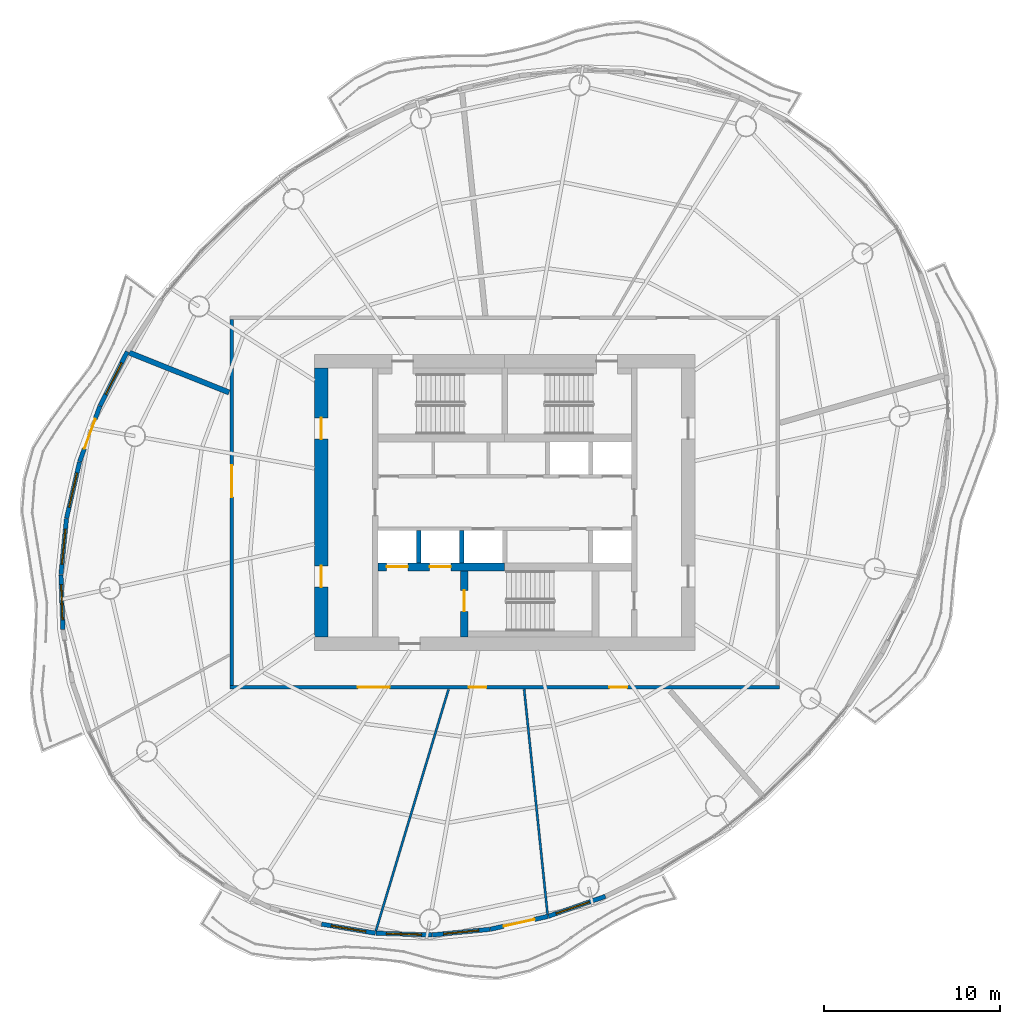
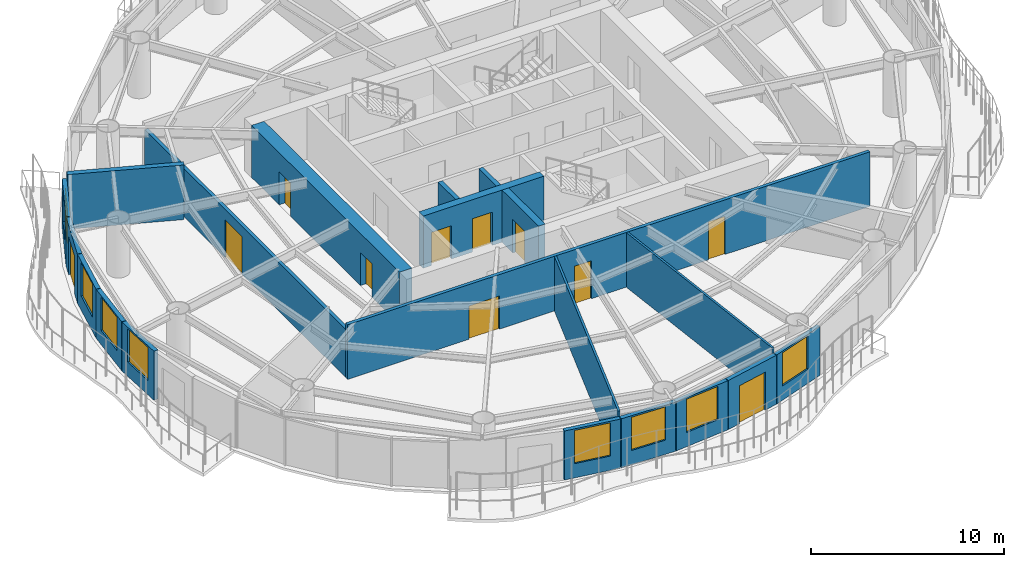
# One storey, part 8 of 14: 20 walls, 11 doors, 8 windows, 19 openings.
"""IFC4 building model written with IfcOpenShell, lengths in metres."""

from ifc_helpers import new_model, si_unit, direction, frame, frame_2d, origin, place, context, subcontext, project, spatial, rectangle, extrude, material, layer, layer_set, type_object, element, fill, save


model = new_model("IFC4")

# Units and contexts
model_context = context("Model", 3, precision=1e-05, world=origin(), true_north=direction((0.0, 1.0)))
body_context = subcontext(model_context, "Body", "Model", "MODEL_VIEW")
ifc_project = project(units=[si_unit("LENGTHUNIT", "METRE"), si_unit("AREAUNIT", "SQUARE_METRE"), si_unit("VOLUMEUNIT", "CUBIC_METRE"), si_unit("PLANEANGLEUNIT", "RADIAN"), si_unit("MASSUNIT", "GRAM", prefix="KILO")], contexts=[model_context])

# Site, building, storey
site_placement = place(None, origin())
site = spatial("IfcSite", under=ifc_project, at=site_placement, CompositionType="ELEMENT")
building_placement = place(site_placement, origin())
building = spatial("IfcBuilding", under=site, at=building_placement, Name="Vermilion Reach Broadcast Tower", CompositionType="ELEMENT")
storey_placement = place(building_placement, frame((0.0, 0.0, 199.300048828125)))
storey = spatial("IfcBuildingStorey", under=building, at=storey_placement, Name="L48", CompositionType="ELEMENT", Elevation=199.300048828125)

# Wall, opening, door
ifc_material_1 = material(Name="Concrete C60", Category="concrete")
ifc_layer_1 = layer(ifc_material_1, 0.39990234375)
ifc_layer_set_1 = layer_set([ifc_layer_1], Name="Core inner wall 400 mm Concrete C60")
wall_type_1 = type_object("IfcWallType", Name="Core inner wall 400 mm Concrete C60", PredefinedType="SHEAR", material=ifc_layer_set_1)
wall_1_placement = place(storey_placement, frame((-8.300048828125, -3.8798828125, 0.0), z_axis=(0.0, 0.0, 1.0), x_axis=(0.0, -1.0, 0.0)))
wall_1 = element("IfcWall", 1, at=wall_1_placement, inside=storey, type_object=wall_type_1, Name="L48 core wall wa", PredefinedType="SHEAR", context=body_context, shape_type="SweptSolid", body=[
    extrude(rectangle(XDim=3.77001953125, YDim=0.39990234375, at=frame_2d((1.885009765625, 0.0))), origin(), (0.0, 0.0, 1.0), 3.300048828125),
])
opening_1_placement = place(wall_1_placement, frame((1.110107421875, 0.0, 0.0)))
opening_1 = element("IfcOpeningElement", 2, at=opening_1_placement, cuts=wall_1, Name="Opening D01", PredefinedType="OPENING", context=body_context, shape_type="SweptSolid", body=[
    extrude(rectangle(XDim=1.199951171875, YDim=2.10009765625, at=frame_2d((0.60009765625, 1.050048828125))), frame((0.0, 0.2099609375, 0.0), z_axis=(0.0, -1.0, 0.0), x_axis=(1.0, 0.0, 0.0)), (0.0, 0.0, 1.0), 0.419921875),
])
ifc_material_2 = material(Name="Painted steel fire door", Category="steel")
door_type_1 = type_object("IfcDoorType", Name="Stair door 1200 x 2100", OperationType="DOUBLE_DOOR_SINGLE_SWING", PredefinedType="NOTDEFINED", material=ifc_material_2)
door_1_placement = place(opening_1_placement, origin())
door_1 = element("IfcDoor", 3, at=door_1_placement, inside=storey, type_object=door_type_1, Name="L48 stair door ST3", OperationType="DOUBLE_DOOR_SINGLE_SWING", OverallHeight=2.10009765625, OverallWidth=1.199951171875, PredefinedType="NOTDEFINED", context=body_context, shape_type="SweptSolid", body=[
    extrude(rectangle(XDim=1.199951171875, YDim=2.10009765625, at=frame_2d((0.60009765625, 1.050048828125))), frame((0.0, 0.02490234375, 0.0), z_axis=(0.0, -1.0, 0.0), x_axis=(1.0, 0.0, 0.0)), (0.0, 0.0, 1.0), 0.050048828125),
])
fill(opening_1, door_1)

# Wall, openings, doors
ifc_material_3 = material(Name="Concrete C60", Category="concrete")
ifc_layer_2 = layer(ifc_material_3, 0.449951171875)
ifc_layer_set_2 = layer_set([ifc_layer_2], Name="Core inner wall 450 mm Concrete C60")
wall_type_2 = type_object("IfcWallType", Name="Core inner wall 450 mm Concrete C60", PredefinedType="SHEAR", material=ifc_layer_set_2)
wall_2_placement = place(storey_placement, frame((-13.199951171875, -3.655029296875, 0.0), z_axis=(0.0, 0.0, 1.0), x_axis=(1.0, 0.0, 0.0)))
wall_2 = element("IfcWall", 4, at=wall_2_placement, inside=storey, type_object=wall_type_2, Name="L48 core wall wisW", PredefinedType="SHEAR", context=body_context, shape_type="SweptSolid", body=[
    extrude(rectangle(XDim=7.199951171875, YDim=0.449951171875, at=frame_2d((3.60009765625, 0.0))), origin(), (0.0, 0.0, 1.0), 3.300048828125),
])
opening_2_placement = place(wall_2_placement, frame((0.495849609375, 0.0, 0.0)))
opening_2 = element("IfcOpeningElement", 5, at=opening_2_placement, cuts=wall_2, Name="Opening LD1", PredefinedType="OPENING", context=body_context, shape_type="SweptSolid", body=[
    extrude(rectangle(XDim=1.199951171875, YDim=2.10009765625, at=frame_2d((0.60009765625, 1.050048828125))), frame((0.0, 0.23486328125, 0.0), z_axis=(0.0, -1.0, 0.0), x_axis=(1.0, 0.0, 0.0)), (0.0, 0.0, 1.0), 0.469970703125),
])
opening_3_placement = place(wall_2_placement, frame((2.9375, 0.0, 0.0)))
opening_3 = element("IfcOpeningElement", 6, at=opening_3_placement, cuts=wall_2, Name="Opening LD1", PredefinedType="OPENING", context=body_context, shape_type="SweptSolid", body=[
    extrude(rectangle(XDim=1.199951171875, YDim=2.10009765625, at=frame_2d((0.60009765625, 1.050048828125))), frame((0.0, 0.23486328125, 0.0), z_axis=(0.0, -1.0, 0.0), x_axis=(1.0, 0.0, 0.0)), (0.0, 0.0, 1.0), 0.469970703125),
])
ifc_material_4 = material(Name="Stainless steel", Category="steel")
door_type_2 = type_object("IfcDoorType", Name="Landing door 1200 x 2100", OperationType="DOUBLE_DOOR_SLIDING", PredefinedType="NOTDEFINED", material=ifc_material_4)
door_2_placement = place(opening_2_placement, origin())
door_2 = element("IfcDoor", 7, at=door_2_placement, inside=storey, type_object=door_type_2, Name="L48 landing door FF1", OperationType="DOUBLE_DOOR_SLIDING", OverallHeight=2.10009765625, OverallWidth=1.199951171875, PredefinedType="NOTDEFINED", context=body_context, shape_type="SweptSolid", body=[
    extrude(rectangle(XDim=1.199951171875, YDim=2.10009765625, at=frame_2d((0.60009765625, 1.050048828125))), frame((0.0, 0.02490234375, 0.0), z_axis=(0.0, -1.0, 0.0), x_axis=(1.0, 0.0, 0.0)), (0.0, 0.0, 1.0), 0.050048828125),
])
fill(opening_2, door_2)
door_3_placement = place(opening_3_placement, origin())
door_3 = element("IfcDoor", 8, at=door_3_placement, inside=storey, type_object=door_type_2, Name="L48 landing door FF2", OperationType="DOUBLE_DOOR_SLIDING", OverallHeight=2.10009765625, OverallWidth=1.199951171875, PredefinedType="NOTDEFINED", context=body_context, shape_type="SweptSolid", body=[
    extrude(rectangle(XDim=1.199951171875, YDim=2.10009765625, at=frame_2d((0.60009765625, 1.050048828125))), frame((0.0, 0.02490234375, 0.0), z_axis=(0.0, -1.0, 0.0), x_axis=(1.0, 0.0, 0.0)), (0.0, 0.0, 1.0), 0.050048828125),
])
fill(opening_3, door_3)

ifc_material_5 = material(Name="Concrete C60", Category="concrete")
ifc_layer_3 = layer(ifc_material_5, 0.75)
ifc_layer_set_3 = layer_set([ifc_layer_3], Name="Core outer wall 750 mm Concrete C60")
wall_type_3 = type_object("IfcWallType", Name="Core outer wall 750 mm Concrete C60", PredefinedType="SHEAR", material=ifc_layer_set_3)
wall_3_placement = place(storey_placement, frame((-16.425048828125, 7.64990234375, 0.0), z_axis=(0.0, 0.0, 1.0), x_axis=(0.0, -1.0, 0.0)))
wall_3 = element("IfcWall", 9, at=wall_3_placement, inside=storey, type_object=wall_type_3, Name="L48 core wall ow", PredefinedType="SHEAR", context=body_context, shape_type="SweptSolid", body=[
    extrude(rectangle(XDim=15.2998046875, YDim=0.75, at=frame_2d((7.64990234375, 0.0))), origin(), (0.0, 0.0, 1.0), 3.300048828125),
])
opening_4_placement = place(wall_3_placement, frame((11.25, 0.0, 0.0)))
opening_4 = element("IfcOpeningElement", 10, at=opening_4_placement, cuts=wall_3, Name="Opening D03", PredefinedType="OPENING", context=body_context, shape_type="SweptSolid", body=[
    extrude(rectangle(XDim=1.199951171875, YDim=2.10009765625, at=frame_2d((0.60009765625, 1.050048828125))), frame((0.0, 0.385009765625, 0.0), z_axis=(0.0, -1.0, 0.0), x_axis=(1.0, 0.0, 0.0)), (0.0, 0.0, 1.0), 0.77001953125),
])
opening_5_placement = place(wall_3_placement, frame((2.85009765625, 0.0, 0.0)))
opening_5 = element("IfcOpeningElement", 11, at=opening_5_placement, cuts=wall_3, Name="Opening D03", PredefinedType="OPENING", context=body_context, shape_type="SweptSolid", body=[
    extrude(rectangle(XDim=1.199951171875, YDim=2.10009765625, at=frame_2d((0.60009765625, 1.050048828125))), frame((0.0, 0.385009765625, 0.0), z_axis=(0.0, -1.0, 0.0), x_axis=(1.0, 0.0, 0.0)), (0.0, 0.0, 1.0), 0.77001953125),
])
ifc_material_6 = material(Name="Painted steel fire door", Category="steel")
door_type_3 = type_object("IfcDoorType", Name="Core lobby door 1200 x 2100", OperationType="DOUBLE_DOOR_SINGLE_SWING", PredefinedType="NOTDEFINED", material=ifc_material_6)
door_4_placement = place(opening_4_placement, origin())
door_4 = element("IfcDoor", 12, at=door_4_placement, inside=storey, type_object=door_type_3, Name="L48 slot door W0", OperationType="DOUBLE_DOOR_SINGLE_SWING", OverallHeight=2.10009765625, OverallWidth=1.199951171875, PredefinedType="NOTDEFINED", context=body_context, shape_type="SweptSolid", body=[
    extrude(rectangle(XDim=1.199951171875, YDim=2.10009765625, at=frame_2d((0.60009765625, 1.050048828125))), frame((0.0, 0.02490234375, 0.0), z_axis=(0.0, -1.0, 0.0), x_axis=(1.0, 0.0, 0.0)), (0.0, 0.0, 1.0), 0.050048828125),
])
fill(opening_4, door_4)
door_5_placement = place(opening_5_placement, origin())
door_5 = element("IfcDoor", 13, at=door_5_placement, inside=storey, type_object=door_type_3, Name="L48 slot door W1", OperationType="DOUBLE_DOOR_SINGLE_SWING", OverallHeight=2.10009765625, OverallWidth=1.199951171875, PredefinedType="NOTDEFINED", context=body_context, shape_type="SweptSolid", body=[
    extrude(rectangle(XDim=1.199951171875, YDim=2.10009765625, at=frame_2d((0.60009765625, 1.050048828125))), frame((0.0, 0.02490234375, 0.0), z_axis=(0.0, -1.0, 0.0), x_axis=(1.0, 0.0, 0.0)), (0.0, 0.0, 1.0), 0.050048828125),
])
fill(opening_5, door_5)

# Walls
ifc_material_7 = material(Name="Concrete C50", Category="concrete")
ifc_layer_4 = layer(ifc_material_7, 0.25)
ifc_layer_set_4 = layer_set([ifc_layer_4], Name="Core shaft wall 250 mm Concrete C50")
wall_type_4 = type_object("IfcWallType", Name="Core shaft wall 250 mm Concrete C50", PredefinedType="SHEAR", material=ifc_layer_set_4)
for number, where, z_axis, x_axis, name in (
    (14, (-10.88330078125, -1.60009765625, 0.0), (0.0, 0.0, 1.0), (0.0, -1.0, 0.0), "L48 core wall psS0"),
    (15, (-8.441650390625, -1.60009765625, 0.0), (0.0, 0.0, 1.0), (0.0, -1.0, 0.0), "L48 core wall psS1"),
):
    element("IfcWall", number, at=place(storey_placement, frame(where, z_axis=z_axis, x_axis=x_axis)), inside=storey, type_object=wall_type_4, Name=name, PredefinedType="SHEAR", context=body_context, shape_type="SweptSolid", body=[
        extrude(rectangle(XDim=1.829833984375, YDim=0.25, at=frame_2d((0.9150390625, 0.0))), origin(), (0.0, 0.0, 1.0), 3.300048828125),
    ])

# Wall, openings, doors
ifc_material_8 = material(Name="Fire-rated gypsum board partition")
ifc_layer_5 = layer(ifc_material_8, 0.199951171875)
ifc_layer_set_5 = layer_set([ifc_layer_5], Name="Corridor wall 200 fire-rated")
wall_type_5 = type_object("IfcWallType", Name="Corridor wall 200 fire-rated", PredefinedType="PARTITIONING", material=ifc_layer_set_5)
wall_4_placement = place(storey_placement, frame((9.60009765625, -10.5, 0.0), z_axis=(0.0, 0.0, 1.0), x_axis=(-1.0, 0.0, 0.0)))
wall_4 = element("IfcWall", 16, at=wall_4_placement, inside=storey, type_object=wall_type_5, Name="Corridor wall 48.S", PredefinedType="PARTITIONING", context=body_context, shape_type="SweptSolid", body=[
    extrude(rectangle(XDim=31.2001953125, YDim=0.199951171875, at=frame_2d((15.60009765625, 0.0))), origin(), (0.0, 0.0, 1.0), 3.449951171875),
])
opening_6_placement = place(wall_4_placement, frame((22.136962890625, 0.0, 0.0)))
opening_6 = element("IfcOpeningElement", 17, at=opening_6_placement, cuts=wall_4, Name="Opening D21", PredefinedType="OPENING", context=body_context, shape_type="SweptSolid", body=[
    extrude(rectangle(XDim=1.800048828125, YDim=2.10009765625, at=frame_2d((0.89990234375, 1.050048828125))), frame((0.0, 0.10986328125, 0.0), z_axis=(0.0, -1.0, 0.0), x_axis=(1.0, 0.0, 0.0)), (0.0, 0.0, 1.0), 0.219970703125),
])
opening_7_placement = place(wall_4_placement, frame((16.63623046875, 0.0, 0.0)))
opening_7 = element("IfcOpeningElement", 18, at=opening_7_placement, cuts=wall_4, Name="Opening D23", PredefinedType="OPENING", context=body_context, shape_type="SweptSolid", body=[
    extrude(rectangle(XDim=1.0, YDim=2.39990234375, at=frame_2d((0.5, 1.199951171875))), frame((0.0, 0.10986328125, 0.0), z_axis=(0.0, -1.0, 0.0), x_axis=(1.0, 0.0, 0.0)), (0.0, 0.0, 1.0), 0.219970703125),
])
opening_8_placement = place(wall_4_placement, frame((8.6552734375, 0.0, 0.0)))
opening_8 = element("IfcOpeningElement", 19, at=opening_8_placement, cuts=wall_4, Name="Opening D23", PredefinedType="OPENING", context=body_context, shape_type="SweptSolid", body=[
    extrude(rectangle(XDim=1.0, YDim=2.39990234375, at=frame_2d((0.5, 1.199951171875))), frame((0.0, 0.10986328125, 0.0), z_axis=(0.0, -1.0, 0.0), x_axis=(1.0, 0.0, 0.0)), (0.0, 0.0, 1.0), 0.219970703125),
])
ifc_material_9 = material(Name="Timber door leaf", Category="wood")
door_type_4 = type_object("IfcDoorType", Name="Door pair 1800x2100", OperationType="NOTDEFINED", PredefinedType="DOOR", material=ifc_material_9)
door_6_placement = place(opening_6_placement, origin())
door_6 = element("IfcDoor", 20, at=door_6_placement, inside=storey, type_object=door_type_4, Name="Door 48.04", OperationType="DOUBLE_DOOR_SINGLE_SWING", OverallHeight=2.10009765625, OverallWidth=1.800048828125, PredefinedType="DOOR", context=body_context, shape_type="SweptSolid", body=[
    extrude(rectangle(XDim=1.800048828125, YDim=2.10009765625, at=frame_2d((0.89990234375, 1.050048828125))), frame((0.0, 0.02490234375, 0.0), z_axis=(0.0, -1.0, 0.0), x_axis=(1.0, 0.0, 0.0)), (0.0, 0.0, 1.0), 0.050048828125),
])
fill(opening_6, door_6)
ifc_material_10 = material(Name="Veneered timber door leaf", Category="wood")
door_type_5 = type_object("IfcDoorType", Name="Door single 1000x2400", OperationType="NOTDEFINED", PredefinedType="DOOR", material=ifc_material_10)
door_7_placement = place(opening_7_placement, origin())
door_7 = element("IfcDoor", 21, at=door_7_placement, inside=storey, type_object=door_type_5, Name="Door 48.05", OperationType="SINGLE_SWING_RIGHT", OverallHeight=2.39990234375, OverallWidth=1.0, PredefinedType="DOOR", context=body_context, shape_type="SweptSolid", body=[
    extrude(rectangle(XDim=1.0, YDim=2.39990234375, at=frame_2d((0.5, 1.199951171875))), frame((0.0, 0.02490234375, 0.0), z_axis=(0.0, -1.0, 0.0), x_axis=(1.0, 0.0, 0.0)), (0.0, 0.0, 1.0), 0.050048828125),
])
fill(opening_7, door_7)
door_8_placement = place(opening_8_placement, origin())
door_8 = element("IfcDoor", 22, at=door_8_placement, inside=storey, type_object=door_type_5, Name="Door 48.06", OperationType="SINGLE_SWING_LEFT", OverallHeight=2.39990234375, OverallWidth=1.0, PredefinedType="DOOR", context=body_context, shape_type="SweptSolid", body=[
    extrude(rectangle(XDim=1.0, YDim=2.39990234375, at=frame_2d((0.5, 1.199951171875))), frame((0.0, 0.02490234375, 0.0), z_axis=(0.0, -1.0, 0.0), x_axis=(1.0, 0.0, 0.0)), (0.0, 0.0, 1.0), 0.050048828125),
])
fill(opening_8, door_8)

# Walls
ifc_material_11 = material(Name="Fire-rated plasterboard on steel stud", Category="steel")
ifc_layer_6 = layer(ifc_material_11, 0.125)
ifc_layer_set_6 = layer_set([ifc_layer_6], Name="Partition 125 fire-rated stud")
wall_type_6 = type_object("IfcWallType", Name="Partition 125 fire-rated stud", PredefinedType="PARTITIONING", material=ifc_layer_set_6)
wall_5_placement = place(storey_placement, frame((-13.3212890625, -24.339111328125, 0.0), z_axis=(0.0, 0.0, 1.0), x_axis=(0.288057495031, 0.957613115802, 0.0)))
element("IfcWall", 23, at=wall_5_placement, inside=storey, type_object=wall_type_6, Name="Partition 48.05", PredefinedType="PARTITIONING", context=body_context, shape_type="SweptSolid", body=[
    extrude(rectangle(XDim=14.32861328125, YDim=0.125, at=frame_2d((7.164306640625, 0.0))), origin(), (0.0, 0.0, 1.0), 3.449951171875),
])
wall_6_placement = place(storey_placement, frame((-3.568603515625, -23.3857421875, 0.0), z_axis=(0.0, 0.0, 1.0), x_axis=(-0.103408703267, 0.994638949614, 0.0)))
element("IfcWall", 24, at=wall_6_placement, inside=storey, type_object=wall_type_6, Name="Partition 48.06", PredefinedType="PARTITIONING", context=body_context, shape_type="SweptSolid", body=[
    extrude(rectangle(XDim=12.84814453125, YDim=0.125, at=frame_2d((6.424072265625, 0.0))), origin(), (0.0, 0.0, 1.0), 3.449951171875),
])
ifc_material_12 = material(Name="Double-leaf plasterboard on isolated steel stud", Category="steel")
ifc_layer_7 = layer(ifc_material_12, 0.300048828125)
ifc_layer_set_7 = layer_set([ifc_layer_7], Name="Partition 300 acoustic double leaf")
wall_type_7 = type_object("IfcWallType", Name="Partition 300 acoustic double leaf", PredefinedType="PARTITIONING", material=ifc_layer_set_7)
wall_7_placement = place(storey_placement, frame((-27.32763671875, 8.51123046875, 0.0), z_axis=(0.0, 0.0, 1.0), x_axis=(0.928768643744, -0.370659960608, 0.0)))
element("IfcWall", 25, at=wall_7_placement, inside=storey, type_object=wall_type_7, Name="Partition 48.03", PredefinedType="PARTITIONING", context=body_context, shape_type="SweptSolid", body=[
    extrude(rectangle(XDim=6.107177734375, YDim=0.300048828125, at=frame_2d((3.0537109375, 0.0))), origin(), (0.0, 0.0, 1.0), 3.449951171875),
])

# Wall, opening, window
ifc_material_13 = material(Name="Terracotta rainscreen cladding", Category="masonry")
ifc_layer_8 = layer(ifc_material_13, 0.25)
ifc_layer_set_8 = layer_set([ifc_layer_8], Name="Terracotta rainscreen wall 250")
wall_type_8 = type_object("IfcWallType", Name="Terracotta rainscreen wall 250", PredefinedType="SOLIDWALL", material=ifc_layer_set_8)
wall_8_placement = place(storey_placement, frame((-27.44091796875, 8.563720703125, 0.0), z_axis=(0.0, 0.0, 1.0), x_axis=(-0.449602668961, -0.89322866057, 0.0)))
wall_8 = element("IfcWall", 26, at=wall_8_placement, inside=storey, type_object=wall_type_8, Name="External wall L48 15", PredefinedType="SOLIDWALL", context=body_context, shape_type="SweptSolid", body=[
    extrude(rectangle(XDim=3.431396484375, YDim=0.25, at=frame_2d((1.7158203125, 0.0))), origin(), (0.0, 0.0, 1.0), 3.099853515625),
])
opening_9_placement = place(wall_8_placement, frame((0.715576171875, 0.0, 0.89990234375)))
opening_9 = element("IfcOpeningElement", 27, at=opening_9_placement, cuts=wall_8, Name="Opening W03", PredefinedType="OPENING", context=body_context, shape_type="SweptSolid", body=[
    extrude(rectangle(XDim=2.0, YDim=2.10009765625, at=frame_2d((1.0, 1.050048828125))), frame((0.0, 0.135009765625, 0.0), z_axis=(0.0, -1.0, 0.0), x_axis=(1.0, 0.0, 0.0)), (0.0, 0.0, 1.0), 0.27001953125),
])
ifc_material_14 = material(Name="Low-e laminated clear glass in aluminium frame", Category="aluminium")
window_type = type_object("IfcWindowType", Name="Punched window 2000 x 2100 sill 900", PartitioningType="SINGLE_PANEL", PredefinedType="WINDOW", material=ifc_material_14)
window_1_placement = place(opening_9_placement, origin())
window_1 = element("IfcWindow", 28, at=window_1_placement, inside=storey, type_object=window_type, Name="Window L48 15", OverallHeight=2.10009765625, OverallWidth=2.0, PartitioningType="SINGLE_PANEL", PredefinedType="WINDOW", context=body_context, shape_type="SweptSolid", body=[
    extrude(rectangle(XDim=2.0, YDim=2.10009765625, at=frame_2d((1.0, 1.050048828125))), frame((0.0, 0.030029296875, 0.0), z_axis=(0.0, -1.0, 0.0), x_axis=(1.0, 0.0, 0.0)), (0.0, 0.0, 1.0), 0.06005859375),
])
fill(opening_9, window_1)

# Wall, opening, door
wall_9_placement = place(storey_placement, frame((-28.992431640625, 5.47802734375, 0.0), z_axis=(0.0, 0.0, 1.0), x_axis=(-0.342379036898, -0.939561916583, 0.0)))
wall_9 = element("IfcWall", 29, at=wall_9_placement, inside=storey, type_object=wall_type_8, Name="External wall L48 16", PredefinedType="SOLIDWALL", context=body_context, shape_type="SweptSolid", body=[
    extrude(rectangle(XDim=3.359375, YDim=0.25, at=frame_2d((1.6796875, 0.0))), origin(), (0.0, 0.0, 1.0), 3.099853515625),
])
opening_10_placement = place(wall_9_placement, frame((0.780029296875, 0.0, 0.0)))
opening_10 = element("IfcOpeningElement", 30, at=opening_10_placement, cuts=wall_9, Name="Opening D70", PredefinedType="OPENING", context=body_context, shape_type="SweptSolid", body=[
    extrude(rectangle(XDim=1.800048828125, YDim=2.39990234375, at=frame_2d((0.89990234375, 1.199951171875))), frame((0.0, 0.135009765625, 0.0), z_axis=(0.0, -1.0, 0.0), x_axis=(1.0, 0.0, 0.0)), (0.0, 0.0, 1.0), 0.27001953125),
])
ifc_material_15 = material(Name="Low-e laminated clear glass in aluminium frame", Category="aluminium")
door_type_6 = type_object("IfcDoorType", Name="Balcony sliding door 1800 x 2400", OperationType="DOUBLE_DOOR_SLIDING", PredefinedType="DOOR", material=ifc_material_15)
door_9_placement = place(opening_10_placement, origin())
door_9 = element("IfcDoor", 31, at=door_9_placement, inside=storey, type_object=door_type_6, Name="Balcony door L48 run 04", OperationType="DOUBLE_DOOR_SLIDING", OverallHeight=2.39990234375, OverallWidth=1.800048828125, PredefinedType="DOOR", context=body_context, shape_type="SweptSolid", body=[
    extrude(rectangle(XDim=1.800048828125, YDim=2.39990234375, at=frame_2d((0.89990234375, 1.199951171875))), frame((0.0, 0.02490234375, 0.0), z_axis=(0.0, -1.0, 0.0), x_axis=(1.0, 0.0, 0.0)), (0.0, 0.0, 1.0), 0.050048828125),
])
fill(opening_10, door_9)

# Wall, opening, window
wall_10_placement = place(storey_placement, frame((-30.149169921875, 2.299560546875, 0.0), z_axis=(0.0, 0.0, 1.0), x_axis=(-0.225196810923, -0.974313294762, 0.0)))
wall_10 = element("IfcWall", 32, at=wall_10_placement, inside=storey, type_object=wall_type_8, Name="External wall L48 17", PredefinedType="SOLIDWALL", context=body_context, shape_type="SweptSolid", body=[
    extrude(rectangle(XDim=3.27734375, YDim=0.25, at=frame_2d((1.638671875, 0.0))), origin(), (0.0, 0.0, 1.0), 3.099853515625),
])
opening_11_placement = place(wall_10_placement, frame((0.638671875, 0.0, 0.89990234375)))
opening_11 = element("IfcOpeningElement", 33, at=opening_11_placement, cuts=wall_10, Name="Opening W03", PredefinedType="OPENING", context=body_context, shape_type="SweptSolid", body=[
    extrude(rectangle(XDim=2.0, YDim=2.10009765625, at=frame_2d((1.0, 1.050048828125))), frame((0.0, 0.135009765625, 0.0), z_axis=(0.0, -1.0, 0.0), x_axis=(1.0, 0.0, 0.0)), (0.0, 0.0, 1.0), 0.27001953125),
])
window_2_placement = place(opening_11_placement, origin())
window_2 = element("IfcWindow", 34, at=window_2_placement, inside=storey, type_object=window_type, Name="Window L48 17", OverallHeight=2.10009765625, OverallWidth=2.0, PartitioningType="SINGLE_PANEL", PredefinedType="WINDOW", context=body_context, shape_type="SweptSolid", body=[
    extrude(rectangle(XDim=2.0, YDim=2.10009765625, at=frame_2d((1.0, 1.050048828125))), frame((0.0, 0.030029296875, 0.0), z_axis=(0.0, -1.0, 0.0), x_axis=(1.0, 0.0, 0.0)), (0.0, 0.0, 1.0), 0.06005859375),
])
fill(opening_11, window_2)

wall_11_placement = place(storey_placement, frame((-30.89111328125, -0.917236328125, 0.0), z_axis=(0.0, 0.0, 1.0), x_axis=(-0.09873075653, -0.995114183255, 0.0)))
wall_11 = element("IfcWall", 35, at=wall_11_placement, inside=storey, type_object=wall_type_8, Name="External wall L48 18", PredefinedType="SOLIDWALL", context=body_context, shape_type="SweptSolid", body=[
    extrude(rectangle(XDim=3.18994140625, YDim=0.25, at=frame_2d((1.594970703125, 0.0))), origin(), (0.0, 0.0, 1.0), 3.099853515625),
])
opening_12_placement = place(wall_11_placement, frame((0.594970703125, 0.0, 0.89990234375)))
opening_12 = element("IfcOpeningElement", 36, at=opening_12_placement, cuts=wall_11, Name="Opening W03", PredefinedType="OPENING", context=body_context, shape_type="SweptSolid", body=[
    extrude(rectangle(XDim=2.0, YDim=2.10009765625, at=frame_2d((1.0, 1.050048828125))), frame((0.0, 0.135009765625, 0.0), z_axis=(0.0, -1.0, 0.0), x_axis=(1.0, 0.0, 0.0)), (0.0, 0.0, 1.0), 0.27001953125),
])
window_3_placement = place(opening_12_placement, origin())
window_3 = element("IfcWindow", 37, at=window_3_placement, inside=storey, type_object=window_type, Name="Window L48 18", OverallHeight=2.10009765625, OverallWidth=2.0, PartitioningType="SINGLE_PANEL", PredefinedType="WINDOW", context=body_context, shape_type="SweptSolid", body=[
    extrude(rectangle(XDim=2.0, YDim=2.10009765625, at=frame_2d((1.0, 1.050048828125))), frame((0.0, 0.030029296875, 0.0), z_axis=(0.0, -1.0, 0.0), x_axis=(1.0, 0.0, 0.0)), (0.0, 0.0, 1.0), 0.06005859375),
])
fill(opening_12, window_3)

wall_12_placement = place(storey_placement, frame((-31.206787109375, -4.116455078125, 0.0), z_axis=(0.0, 0.0, 1.0), x_axis=(0.036429625248, -0.999336220901, 0.0)))
wall_12 = element("IfcWall", 38, at=wall_12_placement, inside=storey, type_object=wall_type_8, Name="External wall L48 19", PredefinedType="SOLIDWALL", context=body_context, shape_type="SweptSolid", body=[
    extrude(rectangle(XDim=3.102783203125, YDim=0.25, at=frame_2d((1.55126953125, 0.0))), origin(), (0.0, 0.0, 1.0), 3.099853515625),
])
opening_13_placement = place(wall_12_placement, frame((0.551513671875, 0.0, 0.89990234375)))
opening_13 = element("IfcOpeningElement", 39, at=opening_13_placement, cuts=wall_12, Name="Opening W03", PredefinedType="OPENING", context=body_context, shape_type="SweptSolid", body=[
    extrude(rectangle(XDim=2.0, YDim=2.10009765625, at=frame_2d((1.0, 1.050048828125))), frame((0.0, 0.135009765625, 0.0), z_axis=(0.0, -1.0, 0.0), x_axis=(1.0, 0.0, 0.0)), (0.0, 0.0, 1.0), 0.27001953125),
])
window_4_placement = place(opening_13_placement, origin())
window_4 = element("IfcWindow", 40, at=window_4_placement, inside=storey, type_object=window_type, Name="Window L48 19", OverallHeight=2.10009765625, OverallWidth=2.0, PartitioningType="SINGLE_PANEL", PredefinedType="WINDOW", context=body_context, shape_type="SweptSolid", body=[
    extrude(rectangle(XDim=2.0, YDim=2.10009765625, at=frame_2d((1.0, 1.050048828125))), frame((0.0, 0.030029296875, 0.0), z_axis=(0.0, -1.0, 0.0), x_axis=(1.0, 0.0, 0.0)), (0.0, 0.0, 1.0), 0.06005859375),
])
fill(opening_13, window_4)

wall_13_placement = place(storey_placement, frame((-16.406005859375, -23.947998046875, 0.0), z_axis=(0.0, 0.0, 1.0), x_axis=(0.986216863641, -0.165457843178, 0.0)))
wall_13 = element("IfcWall", 41, at=wall_13_placement, inside=storey, type_object=wall_type_8, Name="External wall L48 28", PredefinedType="SOLIDWALL", context=body_context, shape_type="SweptSolid", body=[
    extrude(rectangle(XDim=3.10302734375, YDim=0.25, at=frame_2d((1.551513671875, 0.0))), origin(), (0.0, 0.0, 1.0), 3.099853515625),
])
opening_14_placement = place(wall_13_placement, frame((0.551513671875, 0.0, 0.89990234375)))
opening_14 = element("IfcOpeningElement", 42, at=opening_14_placement, cuts=wall_13, Name="Opening W03", PredefinedType="OPENING", context=body_context, shape_type="SweptSolid", body=[
    extrude(rectangle(XDim=2.0, YDim=2.10009765625, at=frame_2d((1.0, 1.050048828125))), frame((0.0, 0.135009765625, 0.0), z_axis=(0.0, -1.0, 0.0), x_axis=(1.0, 0.0, 0.0)), (0.0, 0.0, 1.0), 0.27001953125),
])
window_5_placement = place(opening_14_placement, origin())
window_5 = element("IfcWindow", 43, at=window_5_placement, inside=storey, type_object=window_type, Name="Window L48 28", OverallHeight=2.10009765625, OverallWidth=2.0, PartitioningType="SINGLE_PANEL", PredefinedType="WINDOW", context=body_context, shape_type="SweptSolid", body=[
    extrude(rectangle(XDim=2.0, YDim=2.10009765625, at=frame_2d((1.0, 1.050048828125))), frame((0.0, 0.030029296875, 0.0), z_axis=(0.0, -1.0, 0.0), x_axis=(1.0, 0.0, 0.0)), (0.0, 0.0, 1.0), 0.06005859375),
])
fill(opening_14, window_5)

wall_14_placement = place(storey_placement, frame((-13.32080078125, -24.4638671875, 0.0), z_axis=(0.0, 0.0, 1.0), x_axis=(0.999517066274, -0.031074655709, 0.0)))
wall_14 = element("IfcWall", 44, at=wall_14_placement, inside=storey, type_object=wall_type_8, Name="External wall L48 29", PredefinedType="SOLIDWALL", context=body_context, shape_type="SweptSolid", body=[
    extrude(rectangle(XDim=3.189697265625, YDim=0.25, at=frame_2d((1.5947265625, 0.0))), origin(), (0.0, 0.0, 1.0), 3.099853515625),
])
opening_15_placement = place(wall_14_placement, frame((0.594970703125, 0.0, 0.89990234375)))
opening_15 = element("IfcOpeningElement", 45, at=opening_15_placement, cuts=wall_14, Name="Opening W03", PredefinedType="OPENING", context=body_context, shape_type="SweptSolid", body=[
    extrude(rectangle(XDim=2.0, YDim=2.10009765625, at=frame_2d((1.0, 1.050048828125))), frame((0.0, 0.135009765625, 0.0), z_axis=(0.0, -1.0, 0.0), x_axis=(1.0, 0.0, 0.0)), (0.0, 0.0, 1.0), 0.27001953125),
])
window_6_placement = place(opening_15_placement, origin())
window_6 = element("IfcWindow", 46, at=window_6_placement, inside=storey, type_object=window_type, Name="Window L48 29", OverallHeight=2.10009765625, OverallWidth=2.0, PartitioningType="SINGLE_PANEL", PredefinedType="WINDOW", context=body_context, shape_type="SweptSolid", body=[
    extrude(rectangle(XDim=2.0, YDim=2.10009765625, at=frame_2d((1.0, 1.050048828125))), frame((0.0, 0.030029296875, 0.0), z_axis=(0.0, -1.0, 0.0), x_axis=(1.0, 0.0, 0.0)), (0.0, 0.0, 1.0), 0.06005859375),
])
fill(opening_15, window_6)

wall_15_placement = place(storey_placement, frame((-10.108642578125, -24.56201171875, 0.0), z_axis=(0.0, 0.0, 1.0), x_axis=(0.995263213441, 0.097216953109, 0.0)))
wall_15 = element("IfcWall", 47, at=wall_15_placement, inside=storey, type_object=wall_type_8, Name="External wall L48 30", PredefinedType="SOLIDWALL", context=body_context, shape_type="SweptSolid", body=[
    extrude(rectangle(XDim=3.27734375, YDim=0.25, at=frame_2d((1.638671875, 0.0))), origin(), (0.0, 0.0, 1.0), 3.099853515625),
])
opening_16_placement = place(wall_15_placement, frame((0.638671875, 0.0, 0.89990234375)))
opening_16 = element("IfcOpeningElement", 48, at=opening_16_placement, cuts=wall_15, Name="Opening W03", PredefinedType="OPENING", context=body_context, shape_type="SweptSolid", body=[
    extrude(rectangle(XDim=2.0, YDim=2.10009765625, at=frame_2d((1.0, 1.050048828125))), frame((0.0, 0.135009765625, 0.0), z_axis=(0.0, -1.0, 0.0), x_axis=(1.0, 0.0, 0.0)), (0.0, 0.0, 1.0), 0.27001953125),
])
window_7_placement = place(opening_16_placement, origin())
window_7 = element("IfcWindow", 49, at=window_7_placement, inside=storey, type_object=window_type, Name="Window L48 30", OverallHeight=2.10009765625, OverallWidth=2.0, PartitioningType="SINGLE_PANEL", PredefinedType="WINDOW", context=body_context, shape_type="SweptSolid", body=[
    extrude(rectangle(XDim=2.0, YDim=2.10009765625, at=frame_2d((1.0, 1.050048828125))), frame((0.0, 0.030029296875, 0.0), z_axis=(0.0, -1.0, 0.0), x_axis=(1.0, 0.0, 0.0)), (0.0, 0.0, 1.0), 0.06005859375),
])
fill(opening_16, window_7)

# Wall, opening, door
wall_16_placement = place(storey_placement, frame((-6.823974609375, -24.23974609375, 0.0), z_axis=(0.0, 0.0, 1.0), x_axis=(0.976008895139, 0.217730651514, 0.0)))
wall_16 = element("IfcWall", 50, at=wall_16_placement, inside=storey, type_object=wall_type_8, Name="External wall L48 31", PredefinedType="SOLIDWALL", context=body_context, shape_type="SweptSolid", body=[
    extrude(rectangle(XDim=3.359375, YDim=0.25, at=frame_2d((1.6796875, 0.0))), origin(), (0.0, 0.0, 1.0), 3.099853515625),
])
opening_17_placement = place(wall_16_placement, frame((0.780029296875, 0.0, 0.0)))
opening_17 = element("IfcOpeningElement", 51, at=opening_17_placement, cuts=wall_16, Name="Opening D70", PredefinedType="OPENING", context=body_context, shape_type="SweptSolid", body=[
    extrude(rectangle(XDim=1.800048828125, YDim=2.39990234375, at=frame_2d((0.89990234375, 1.199951171875))), frame((0.0, 0.135009765625, 0.0), z_axis=(0.0, -1.0, 0.0), x_axis=(1.0, 0.0, 0.0)), (0.0, 0.0, 1.0), 0.27001953125),
])
door_10_placement = place(opening_17_placement, origin())
door_10 = element("IfcDoor", 52, at=door_10_placement, inside=storey, type_object=door_type_6, Name="Balcony door L48 run 08", OperationType="DOUBLE_DOOR_SLIDING", OverallHeight=2.39990234375, OverallWidth=1.800048828125, PredefinedType="DOOR", context=body_context, shape_type="SweptSolid", body=[
    extrude(rectangle(XDim=1.800048828125, YDim=2.39990234375, at=frame_2d((0.89990234375, 1.199951171875))), frame((0.0, 0.02490234375, 0.0), z_axis=(0.0, -1.0, 0.0), x_axis=(1.0, 0.0, 0.0)), (0.0, 0.0, 1.0), 0.050048828125),
])
fill(opening_17, door_10)

# Wall, opening, window
wall_17_placement = place(storey_placement, frame((-3.5234375, -23.502197265625, 0.0), z_axis=(0.0, 0.0, 1.0), x_axis=(0.943927112693, 0.330153912475, 0.0)))
wall_17 = element("IfcWall", 53, at=wall_17_placement, inside=storey, type_object=wall_type_8, Name="External wall L48 32", PredefinedType="SOLIDWALL", context=body_context, shape_type="SweptSolid", body=[
    extrude(rectangle(XDim=3.43115234375, YDim=0.25, at=frame_2d((1.715576171875, 0.0))), origin(), (0.0, 0.0, 1.0), 3.099853515625),
])
opening_18_placement = place(wall_17_placement, frame((0.466064453125, 0.0, 0.89990234375)))
opening_18 = element("IfcOpeningElement", 54, at=opening_18_placement, cuts=wall_17, Name="Opening W03", PredefinedType="OPENING", context=body_context, shape_type="SweptSolid", body=[
    extrude(rectangle(XDim=2.0, YDim=2.10009765625, at=frame_2d((1.0, 1.050048828125))), frame((0.0, 0.135009765625, 0.0), z_axis=(0.0, -1.0, 0.0), x_axis=(1.0, 0.0, 0.0)), (0.0, 0.0, 1.0), 0.27001953125),
])
window_8_placement = place(opening_18_placement, origin())
window_8 = element("IfcWindow", 55, at=window_8_placement, inside=storey, type_object=window_type, Name="Window L48 32", OverallHeight=2.10009765625, OverallWidth=2.0, PartitioningType="SINGLE_PANEL", PredefinedType="WINDOW", context=body_context, shape_type="SweptSolid", body=[
    extrude(rectangle(XDim=2.0, YDim=2.10009765625, at=frame_2d((1.0, 1.050048828125))), frame((0.0, 0.030029296875, 0.0), z_axis=(0.0, -1.0, 0.0), x_axis=(1.0, 0.0, 0.0)), (0.0, 0.0, 1.0), 0.06005859375),
])
fill(opening_18, window_8)

# Wall, opening, door
ifc_material_16 = material(Name="Fire-rated gypsum board partition")
ifc_layer_9 = layer(ifc_material_16, 0.199951171875)
ifc_layer_set_9 = layer_set([ifc_layer_9], Name="Under girder: Corridor wall 200 fire-rated")
wall_type_9 = type_object("IfcWallType", Name="Under girder: Corridor wall 200 fire-rated", PredefinedType="PARTITIONING", material=ifc_layer_set_9)
wall_18_placement = place(storey_placement, frame((-21.5, -10.39990234375, 0.0), z_axis=(0.0, 0.0, 1.0), x_axis=(0.0, 1.0, 0.0)))
wall_18 = element("IfcWall", 56, at=wall_18_placement, inside=storey, type_object=wall_type_9, Name="Corridor wall 48.W", PredefinedType="PARTITIONING", context=body_context, shape_type="SweptSolid", body=[
    extrude(rectangle(XDim=20.7998046875, YDim=0.199951171875, at=frame_2d((10.39990234375, 0.0))), origin(), (0.0, 0.0, 1.0), 3.050048828125),
])
opening_19_placement = place(wall_18_placement, frame((10.705078125, 0.0, 0.0)))
opening_19 = element("IfcOpeningElement", 57, at=opening_19_placement, cuts=wall_18, Name="Opening D27", PredefinedType="OPENING", context=body_context, shape_type="SweptSolid", body=[
    extrude(rectangle(XDim=1.800048828125, YDim=2.39990234375, at=frame_2d((0.89990234375, 1.199951171875))), frame((0.0, 0.10986328125, 0.0), z_axis=(0.0, -1.0, 0.0), x_axis=(1.0, 0.0, 0.0)), (0.0, 0.0, 1.0), 0.219970703125),
])
ifc_material_17 = material(Name="Acoustic timber door leaf", Category="wood")
door_type_7 = type_object("IfcDoorType", Name="Door pair 1800x2400", OperationType="NOTDEFINED", PredefinedType="DOOR", material=ifc_material_17)
door_11_placement = place(opening_19_placement, origin())
door_11 = element("IfcDoor", 58, at=door_11_placement, inside=storey, type_object=door_type_7, Name="Door 48.03", OperationType="DOUBLE_DOOR_SINGLE_SWING", OverallHeight=2.39990234375, OverallWidth=1.800048828125, PredefinedType="DOOR", context=body_context, shape_type="SweptSolid", body=[
    extrude(rectangle(XDim=1.800048828125, YDim=2.39990234375, at=frame_2d((0.89990234375, 1.199951171875))), frame((0.0, 0.02490234375, 0.0), z_axis=(0.0, -1.0, 0.0), x_axis=(1.0, 0.0, 0.0)), (0.0, 0.0, 1.0), 0.050048828125),
])
fill(opening_19, door_11)

save(model, "model.ifc")
